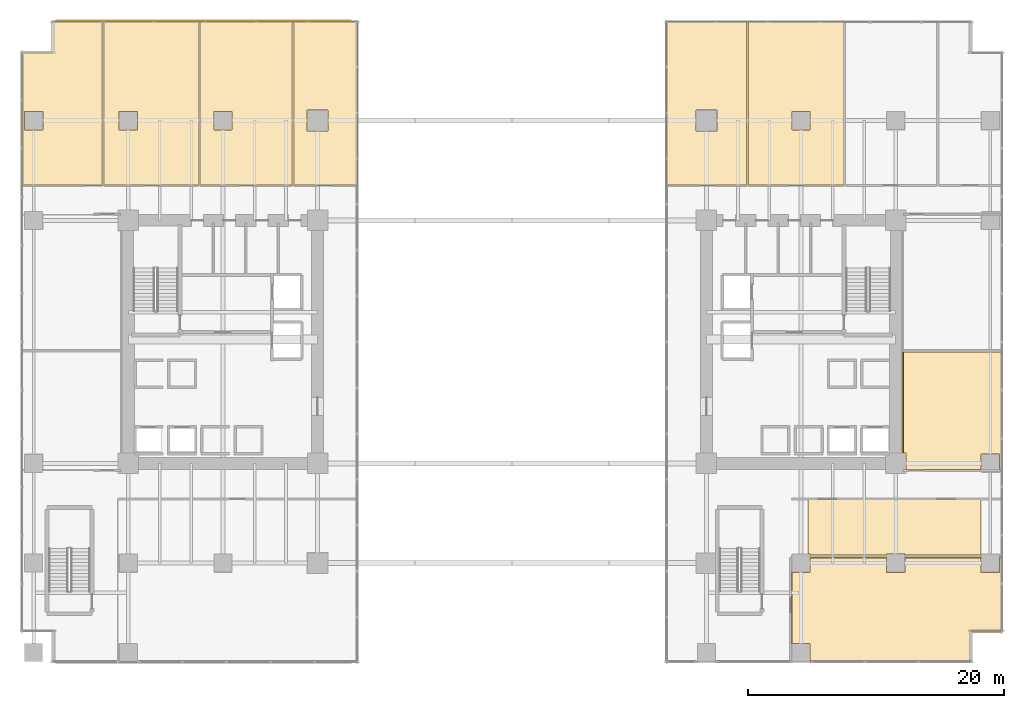
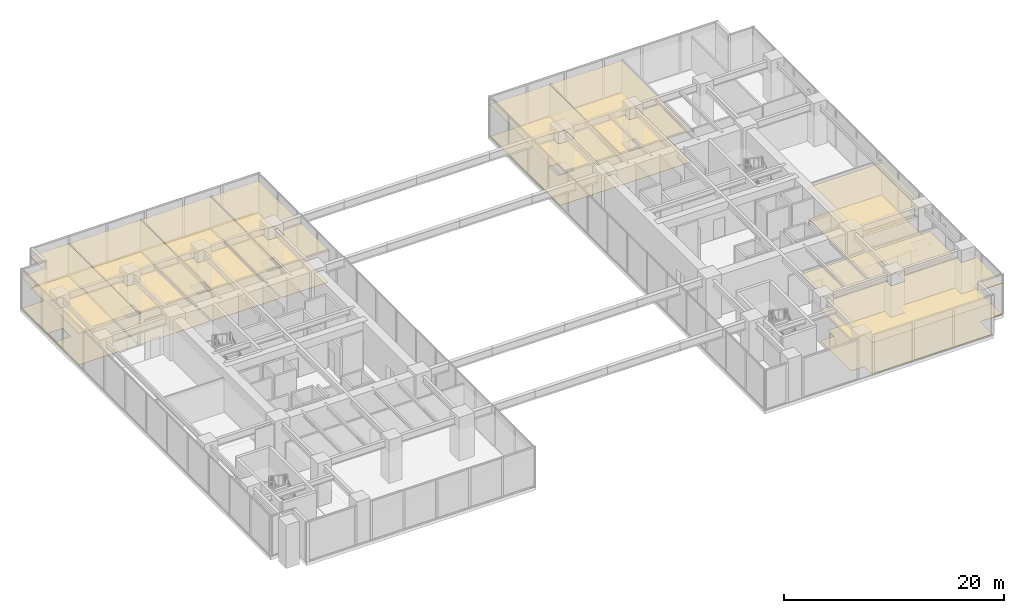
# One storey, part 38 of 39: 18 coverings.
"""IFC4 building model written with IfcOpenShell, lengths in metres."""

from ifc_helpers import new_model, si_unit, direction, frame, frame_2d, origin, place, context, subcontext, project, spatial, polyline, rectangle, outline, extrude, material, layer, layer_set, type_object, element, save


model = new_model("IFC4")

# Units and contexts
model_context = context("Model", 3, precision=1e-05, world=origin(), true_north=direction((0.0, 1.0)))
body_context = subcontext(model_context, "Body", "Model", "MODEL_VIEW")
ifc_project = project(units=[si_unit("LENGTHUNIT", "METRE"), si_unit("AREAUNIT", "SQUARE_METRE"), si_unit("VOLUMEUNIT", "CUBIC_METRE"), si_unit("PLANEANGLEUNIT", "RADIAN"), si_unit("MASSUNIT", "GRAM", prefix="KILO")], contexts=[model_context])

# Site, building, storey
site_placement = place(None, origin())
site = spatial("IfcSite", under=ifc_project, at=site_placement, CompositionType="ELEMENT")
building_placement = place(site_placement, origin())
building = spatial("IfcBuilding", under=site, at=building_placement, Name="Haelvirn Gate Laboratories", CompositionType="ELEMENT")
storey_placement = place(building_placement, frame((0.0, 0.0, 15.0)))
storey = spatial("IfcBuildingStorey", under=building, at=storey_placement, Name="L04", CompositionType="ELEMENT", Elevation=15.0)

# Coverings
ifc_material_1 = material(Name="Micro-perforated acoustic mineral-fibre laboratory ceiling")
ifc_layer_1 = layer(ifc_material_1, 0.0400390625, Name="COV-CEIL-ACT")
ifc_layer_set_1 = layer_set([ifc_layer_1], Name="Micro-perforated acoustic mineral-fibre laboratory ceiling")
covering_type_1 = type_object("IfcCoveringType", Name="COV-CEIL-ACT", PredefinedType="CEILING", material=ifc_layer_set_1)
covering_1_placement = place(storey_placement, frame((0.0, 0.0, 3.47998046875)))
element("IfcCovering", 1, at=covering_1_placement, inside=storey, type_object=covering_type_1, Name="L04 Laboratory Acoustic Ceiling CEIL-SP-L04-PODN-W-1", PredefinedType="CEILING", context=body_context, shape_type="SweptSolid", body=[
    extrude(outline(polyline([(-0.909912109375, 47.02001953125), (1.3798828125, 47.02001953125), (1.3798828125, 49.340087890625), (5.39404296875, 49.340087890625), (5.39404296875, 36.5400390625), (-0.909912109375, 36.5400390625), (-0.909912109375, 47.02001953125)]), holes=[polyline([(0.719970703125, 42.320068359375), (-0.719970703125, 42.320068359375), (-0.719970703125, 40.8798828125), (0.719970703125, 40.8798828125), (0.719970703125, 42.320068359375)])]), origin(), (0.0, 0.0, 1.0), 0.0400390625),
])
covering_2_placement = place(storey_placement, frame((0.0, 0.0, 3.47998046875)))
element("IfcCovering", 2, at=covering_2_placement, inside=storey, type_object=covering_type_1, Name="L04 Laboratory Acoustic Ceiling CEIL-SP-L04-PODN-W-2", PredefinedType="CEILING", context=body_context, shape_type="SweptSolid", body=[
    extrude(outline(polyline([(12.962890625, 36.5400390625), (5.43408203125, 36.5400390625), (5.43408203125, 49.340087890625), (12.962890625, 49.340087890625), (12.962890625, 36.5400390625)]), holes=[polyline([(8.1201171875, 42.320068359375), (6.679931640625, 42.320068359375), (6.679931640625, 40.8798828125), (8.1201171875, 40.8798828125), (8.1201171875, 42.320068359375)])]), origin(), (0.0, 0.0, 1.0), 0.0400390625),
])
covering_3_placement = place(storey_placement, frame((0.0, 0.0, 3.47998046875)))
element("IfcCovering", 3, at=covering_3_placement, inside=storey, type_object=covering_type_1, Name="L04 Laboratory Acoustic Ceiling CEIL-SP-L04-PODN-W-3", PredefinedType="CEILING", context=body_context, shape_type="SweptSolid", body=[
    extrude(outline(polyline([(20.27099609375, 36.5400390625), (13.0029296875, 36.5400390625), (13.0029296875, 49.340087890625), (20.27099609375, 49.340087890625), (20.27099609375, 36.5400390625)]), holes=[polyline([(15.52001953125, 42.320068359375), (14.080078125, 42.320068359375), (14.080078125, 40.8798828125), (15.52001953125, 40.8798828125), (15.52001953125, 42.320068359375)])]), origin(), (0.0, 0.0, 1.0), 0.0400390625),
])
covering_4_placement = place(storey_placement, frame((0.0, 0.0, 3.47998046875)))
element("IfcCovering", 4, at=covering_4_placement, inside=storey, type_object=covering_type_1, Name="L04 Laboratory Acoustic Ceiling CEIL-SP-L04-PODN-W-4", PredefinedType="CEILING", context=body_context, shape_type="SweptSolid", body=[
    extrude(outline(polyline([(25.31005859375, 36.5400390625), (20.31103515625, 36.5400390625), (20.31103515625, 49.340087890625), (25.31005859375, 49.340087890625), (25.31005859375, 36.5400390625)]), holes=[polyline([(23.02001953125, 42.419921875), (21.3798828125, 42.419921875), (21.3798828125, 40.780029296875), (23.02001953125, 40.780029296875), (23.02001953125, 42.419921875)])]), origin(), (0.0, 0.0, 1.0), 0.0400390625),
])
covering_5_placement = place(storey_placement, frame((0.0, 0.0, 3.47998046875)))
element("IfcCovering", 5, at=covering_5_placement, inside=storey, type_object=covering_type_1, Name="L04 Laboratory Acoustic Ceiling CEIL-SP-L04-PODOUT-E-S", PredefinedType="CEILING", context=body_context, shape_type="SweptSolid", body=[
    extrude(outline(polyline([(68.219970703125, 14.260009765625), (68.219970703125, 15.6201171875), (67.93994140625, 15.6201171875), (67.93994140625, 23.56005859375), (75.7099609375, 23.56005859375), (75.7099609375, 14.260009765625), (75.52001953125, 14.260009765625), (75.52001953125, 15.52001953125), (74.080078125, 15.52001953125), (74.080078125, 14.260009765625), (68.219970703125, 14.260009765625)])), origin(), (0.0, 0.0, 1.0), 0.0400390625),
])
covering_6_placement = place(storey_placement, frame((0.0, 0.0, 3.47998046875)))
element("IfcCovering", 6, at=covering_6_placement, inside=storey, type_object=covering_type_1, Name="L04 Laboratory Acoustic Ceiling CEIL-SP-L04-AUDITORIUM", PredefinedType="CEILING", context=body_context, shape_type="SweptSolid", body=[
    extrude(outline(polyline([(74.06005859375, 7.639892578125), (68.1201171875, 7.639892578125), (68.1201171875, 7.719970703125), (66.679931640625, 7.719970703125), (66.679931640625, 7.639892578125), (60.719970703125, 7.639892578125), (60.719970703125, 7.719970703125), (60.5400390625, 7.719970703125), (60.5400390625, 11.9599609375), (74.06005859375, 11.9599609375), (74.06005859375, 7.639892578125)])), origin(), (0.0, 0.0, 1.0), 0.0400390625),
])
covering_7_placement = place(storey_placement, frame((0.0, 0.0, 3.47998046875)))
element("IfcCovering", 7, at=covering_7_placement, inside=storey, type_object=covering_type_1, Name="L04 Laboratory Acoustic Ceiling CEIL-SP-L04-AUDFOYER", PredefinedType="CEILING", context=body_context, shape_type="SweptSolid", body=[
    extrude(outline(polyline([(75.7099609375, 1.580078125), (73.419921875, 1.580078125), (73.419921875, -0.7099609375), (60.719970703125, -0.7099609375), (60.719970703125, 0.719970703125), (59.280029296875, 0.719970703125), (59.280029296875, 0.659912109375), (59.239990234375, 0.659912109375), (59.239990234375, 6.340087890625), (59.280029296875, 6.340087890625), (59.280029296875, 6.280029296875), (60.719970703125, 6.280029296875), (60.719970703125, 7.4599609375), (66.679931640625, 7.4599609375), (66.679931640625, 6.280029296875), (68.1201171875, 6.280029296875), (68.1201171875, 7.4599609375), (74.080078125, 7.4599609375), (74.080078125, 6.280029296875), (75.52001953125, 6.280029296875), (75.52001953125, 7.4599609375), (75.7099609375, 7.4599609375), (75.7099609375, 1.580078125)])), origin(), (0.0, 0.0, 1.0), 0.0400390625),
])
covering_8_placement = place(storey_placement, frame((0.0, 0.0, 3.47998046875)))
element("IfcCovering", 8, at=covering_8_placement, inside=storey, type_object=covering_type_1, Name="L04 Laboratory Acoustic Ceiling CEIL-SP-L04-PODN-E-1", PredefinedType="CEILING", context=body_context, shape_type="SweptSolid", body=[
    extrude(outline(polyline([(55.7939453125, 36.5400390625), (49.489990234375, 36.5400390625), (49.489990234375, 49.340087890625), (55.7939453125, 49.340087890625), (55.7939453125, 36.5400390625)]), holes=[polyline([(53.419921875, 42.419921875), (51.780029296875, 42.419921875), (51.780029296875, 40.780029296875), (53.419921875, 40.780029296875), (53.419921875, 42.419921875)])]), origin(), (0.0, 0.0, 1.0), 0.0400390625),
])
covering_9_placement = place(storey_placement, frame((0.0, 0.0, 3.47998046875)))
element("IfcCovering", 9, at=covering_9_placement, inside=storey, type_object=covering_type_1, Name="L04 Laboratory Acoustic Ceiling CEIL-SP-L04-PODN-E-2", PredefinedType="CEILING", context=body_context, shape_type="SweptSolid", body=[
    extrude(outline(polyline([(63.363037109375, 36.5400390625), (55.833984375, 36.5400390625), (55.833984375, 49.340087890625), (63.363037109375, 49.340087890625), (63.363037109375, 36.5400390625)]), holes=[polyline([(60.719970703125, 42.320068359375), (59.280029296875, 42.320068359375), (59.280029296875, 40.8798828125), (60.719970703125, 40.8798828125), (60.719970703125, 42.320068359375)])]), origin(), (0.0, 0.0, 1.0), 0.0400390625),
])
ifc_material_2 = material(Name="Anodised bronze honeycomb aluminium spandrel cladding", Category="aluminium")
ifc_layer_2 = layer(ifc_material_2, 0.044921875, Name="COV-CLAD-BRZ")
ifc_layer_set_2 = layer_set([ifc_layer_2], Name="Anodised bronze honeycomb aluminium spandrel cladding")
covering_type_2 = type_object("IfcCoveringType", Name="COV-CLAD-BRZ", PredefinedType="CLADDING", material=ifc_layer_set_2)
covering_10_placement = place(storey_placement, frame((1.800048828125, 49.3701171875, -0.300048828125), z_axis=(0.0, 0.0, 1.0), x_axis=(1.0, 0.0, 0.0)))
element("IfcCovering", 10, at=covering_10_placement, inside=storey, type_object=covering_type_2, Name="L04 Bronze Slab-Edge Spandrel Cladding NW", PredefinedType="CLADDING", context=body_context, shape_type="SweptSolid", body=[
    extrude(rectangle(XDim=23.0, YDim=0.044921875, at=frame_2d((11.5, 0.0))), origin(), (0.0, 0.0, 1.0), 0.449951171875),
])
ifc_material_3 = material(Name="Seamless chemical-resistant epoxy laboratory flooring")
ifc_layer_3 = layer(ifc_material_3, 0.01806640625, Name="COV-FLR-RESIN")
ifc_layer_set_3 = layer_set([ifc_layer_3], Name="Seamless chemical-resistant epoxy laboratory flooring")
covering_type_3 = type_object("IfcCoveringType", Name="COV-FLR-RESIN", PredefinedType="FLOORING", material=ifc_layer_set_3)
covering_11_placement = place(storey_placement, origin())
element("IfcCovering", 11, at=covering_11_placement, inside=storey, type_object=covering_type_3, Name="L04 Seamless Laboratory Flooring FLR-SP-L04-PODN-W-1", PredefinedType="FLOORING", context=body_context, shape_type="SweptSolid", body=[
    extrude(outline(polyline([(-0.85009765625, 36.60009765625), (-0.85009765625, 46.9599609375), (1.39990234375, 46.9599609375), (1.40380859375, 46.960205078125), (1.40771484375, 46.960693359375), (1.41162109375, 46.961669921875), (1.415283203125, 46.962890625), (1.4189453125, 46.964599609375), (1.422119140625, 46.966796875), (1.42529296875, 46.968994140625), (1.42822265625, 46.9716796875), (1.430908203125, 46.974609375), (1.433349609375, 46.977783203125), (1.435302734375, 46.981201171875), (1.43701171875, 46.984619140625), (1.438232421875, 46.98828125), (1.439208984375, 46.9921875), (1.439697265625, 46.99609375), (1.43994140625, 47.0), (1.43994140625, 49.280029296875), (5.333984375, 49.280029296875), (5.333984375, 36.60009765625), (-0.85009765625, 36.60009765625)]), holes=[polyline([(-0.719970703125, 42.320068359375), (-0.719970703125, 40.8798828125), (0.719970703125, 40.8798828125), (0.719970703125, 42.320068359375), (-0.719970703125, 42.320068359375)])]), origin(), (0.0, 0.0, 1.0), 0.01806640625),
])
covering_12_placement = place(storey_placement, origin())
element("IfcCovering", 12, at=covering_12_placement, inside=storey, type_object=covering_type_3, Name="L04 Seamless Laboratory Flooring FLR-SP-L04-PODN-W-2", PredefinedType="FLOORING", context=body_context, shape_type="SweptSolid", body=[
    extrude(outline(polyline([(12.903076171875, 49.280029296875), (12.903076171875, 36.60009765625), (5.493896484375, 36.60009765625), (5.493896484375, 49.280029296875), (12.903076171875, 49.280029296875)]), holes=[polyline([(6.679931640625, 42.320068359375), (6.679931640625, 40.8798828125), (8.1201171875, 40.8798828125), (8.1201171875, 42.320068359375), (6.679931640625, 42.320068359375)])]), origin(), (0.0, 0.0, 1.0), 0.01806640625),
])
covering_13_placement = place(storey_placement, origin())
element("IfcCovering", 13, at=covering_13_placement, inside=storey, type_object=covering_type_3, Name="L04 Seamless Laboratory Flooring FLR-SP-L04-PODN-W-3", PredefinedType="FLOORING", context=body_context, shape_type="SweptSolid", body=[
    extrude(outline(polyline([(20.2109375, 49.280029296875), (20.2109375, 36.60009765625), (13.06298828125, 36.60009765625), (13.06298828125, 49.280029296875), (20.2109375, 49.280029296875)]), holes=[polyline([(14.080078125, 42.320068359375), (14.080078125, 40.8798828125), (15.52001953125, 40.8798828125), (15.52001953125, 42.320068359375), (14.080078125, 42.320068359375)])]), origin(), (0.0, 0.0, 1.0), 0.01806640625),
])
covering_14_placement = place(storey_placement, origin())
element("IfcCovering", 14, at=covering_14_placement, inside=storey, type_object=covering_type_3, Name="L04 Seamless Laboratory Flooring FLR-SP-L04-PODN-W-4", PredefinedType="FLOORING", context=body_context, shape_type="SweptSolid", body=[
    extrude(outline(polyline([(25.25, 49.280029296875), (25.25, 36.60009765625), (20.37109375, 36.60009765625), (20.37109375, 49.280029296875), (25.25, 49.280029296875)]), holes=[polyline([(21.3798828125, 42.419921875), (21.3798828125, 40.780029296875), (23.02001953125, 40.780029296875), (23.02001953125, 42.419921875), (21.3798828125, 42.419921875)])]), origin(), (0.0, 0.0, 1.0), 0.01806640625),
])
covering_15_placement = place(storey_placement, origin())
element("IfcCovering", 15, at=covering_15_placement, inside=storey, type_object=covering_type_3, Name="L04 Seamless Laboratory Flooring FLR-SP-L04-PODOUT-E-S", PredefinedType="FLOORING", context=body_context, shape_type="SweptSolid", body=[
    extrude(outline(polyline([(75.64990234375, 14.320068359375), (75.52001953125, 14.320068359375), (75.52001953125, 15.52001953125), (74.080078125, 15.52001953125), (74.080078125, 14.320068359375), (68.219970703125, 14.320068359375), (68.219970703125, 15.6201171875), (68.0, 15.6201171875), (68.0, 23.5), (75.64990234375, 23.5), (75.64990234375, 14.320068359375)])), origin(), (0.0, 0.0, 1.0), 0.01806640625),
])
covering_16_placement = place(storey_placement, origin())
element("IfcCovering", 16, at=covering_16_placement, inside=storey, type_object=covering_type_3, Name="L04 Seamless Laboratory Flooring FLR-SP-L04-AUDFOYER", PredefinedType="FLOORING", context=body_context, shape_type="SweptSolid", body=[
    extrude(outline(polyline([(66.679931640625, 6.280029296875), (68.1201171875, 6.280029296875), (68.1201171875, 7.39990234375), (74.080078125, 7.39990234375), (74.080078125, 6.280029296875), (75.52001953125, 6.280029296875), (75.52001953125, 7.39990234375), (75.64990234375, 7.39990234375), (75.64990234375, 1.639892578125), (73.39990234375, 1.639892578125), (73.39599609375, 1.639892578125), (73.39208984375, 1.63916015625), (73.388427734375, 1.63818359375), (73.384765625, 1.636962890625), (73.381103515625, 1.63525390625), (73.377685546875, 1.63330078125), (73.37451171875, 1.630859375), (73.37158203125, 1.62841796875), (73.369140625, 1.62548828125), (73.36669921875, 1.622314453125), (73.36474609375, 1.618896484375), (73.363037109375, 1.615234375), (73.36181640625, 1.611572265625), (73.36083984375, 1.60791015625), (73.360107421875, 1.60400390625), (73.360107421875, 1.60009765625), (73.360107421875, -0.64990234375), (60.719970703125, -0.64990234375), (60.719970703125, 0.719970703125), (59.300048828125, 0.719970703125), (59.300048828125, 6.280029296875), (60.719970703125, 6.280029296875), (60.719970703125, 7.39990234375), (66.679931640625, 7.39990234375), (66.679931640625, 6.280029296875)])), origin(), (0.0, 0.0, 1.0), 0.01806640625),
])
covering_17_placement = place(storey_placement, origin())
element("IfcCovering", 17, at=covering_17_placement, inside=storey, type_object=covering_type_3, Name="L04 Seamless Laboratory Flooring FLR-SP-L04-PODN-E-1", PredefinedType="FLOORING", context=body_context, shape_type="SweptSolid", body=[
    extrude(outline(polyline([(55.73388671875, 49.280029296875), (55.73388671875, 36.60009765625), (49.550048828125, 36.60009765625), (49.550048828125, 49.280029296875), (55.73388671875, 49.280029296875)]), holes=[polyline([(51.780029296875, 42.419921875), (51.780029296875, 40.780029296875), (53.419921875, 40.780029296875), (53.419921875, 42.419921875), (51.780029296875, 42.419921875)])]), origin(), (0.0, 0.0, 1.0), 0.01806640625),
])
covering_18_placement = place(storey_placement, origin())
element("IfcCovering", 18, at=covering_18_placement, inside=storey, type_object=covering_type_3, Name="L04 Seamless Laboratory Flooring FLR-SP-L04-PODN-E-2", PredefinedType="FLOORING", context=body_context, shape_type="SweptSolid", body=[
    extrude(outline(polyline([(63.302978515625, 49.280029296875), (63.302978515625, 36.60009765625), (55.89404296875, 36.60009765625), (55.89404296875, 49.280029296875), (63.302978515625, 49.280029296875)]), holes=[polyline([(59.280029296875, 42.320068359375), (59.280029296875, 40.8798828125), (60.719970703125, 40.8798828125), (60.719970703125, 42.320068359375), (59.280029296875, 42.320068359375)])]), origin(), (0.0, 0.0, 1.0), 0.01806640625),
])

save(model, "model.ifc")
